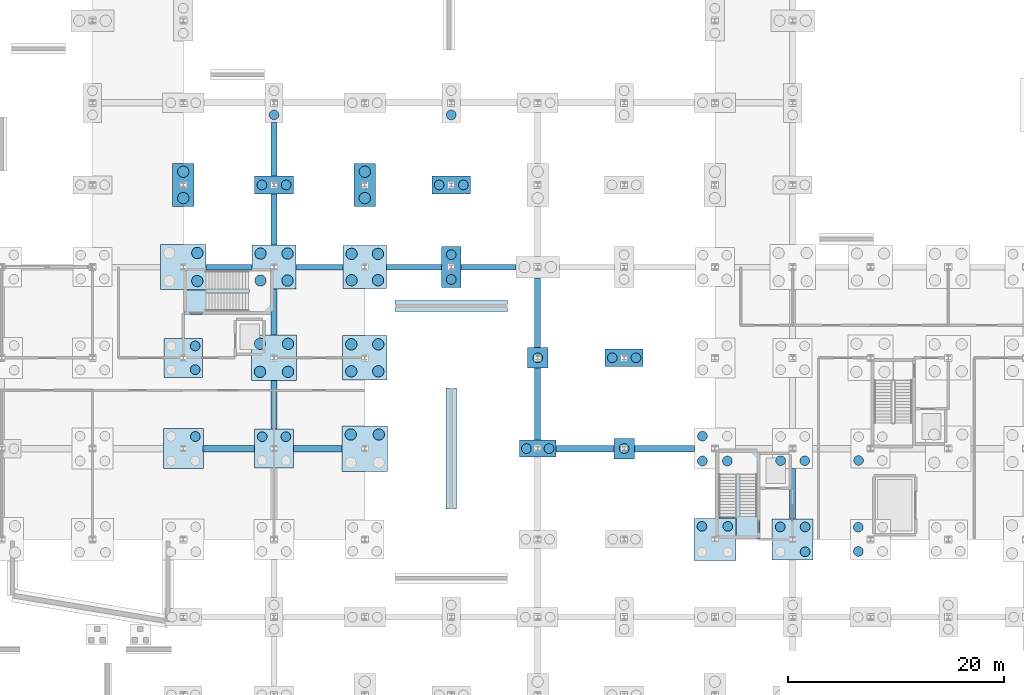
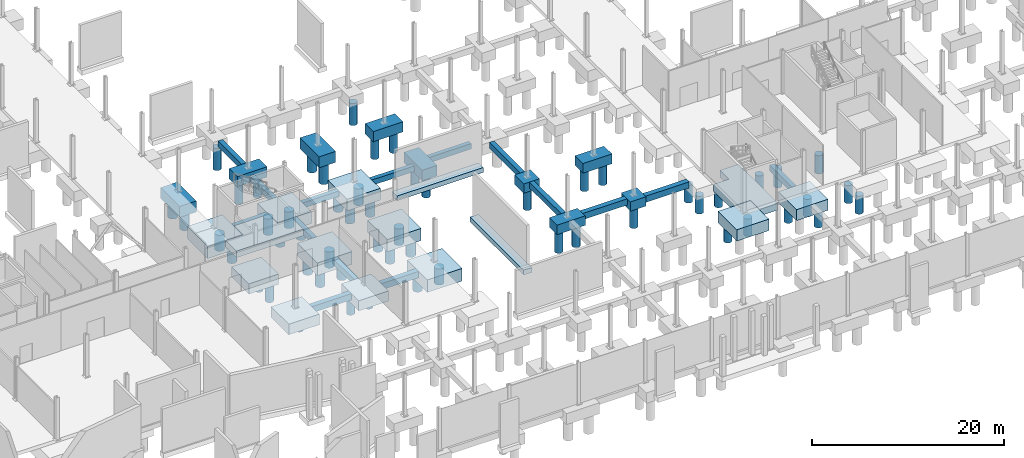
# One storey, part 5 of 61: 56 piles, 39 footings.
"""IFC4 building model written with IfcOpenShell, lengths in metres."""

import ifcopenshell
import ifcopenshell.guid

model = None  # the IFC model being written
_history = None  # IfcOwnerHistory: only IFC2X3 demands one
_inside = {}  # id of a spatial element -> (the spatial element, [elements in it])
_under = {}  # id of a project, library or spatial element -> (it, [spatial elements below it])
_declared = {}  # id of a project -> (the project, [libraries it declares])
_typed = {}  # id of a type object -> (the type object, [elements of that type])
_made_of = {}  # id of a material, layer set ... -> (it, [elements and type objects made of it])


def new_model(schema):
    """Start an empty IFC model of exactly this schema.

    Asked for "IFC4X3", IfcOpenShell would pick the latest addendum, in which some entities
    have other attributes; the version numbers below select the first issue.
    IFC2X3 requires an IfcOwnerHistory on every rooted entity: one is made here for all.
    """
    global model, _history
    if schema == "IFC4X3":
        model = ifcopenshell.file(schema_version=(4, 3, 0, 0))
    else:
        model = ifcopenshell.file(schema=schema)
    _inside.clear()
    _under.clear()
    _declared.clear()
    _typed.clear()
    _made_of.clear()
    _history = None
    if model.schema == "IFC2X3":
        org = make("IfcOrganization", Name="unknown")
        user = make(
            "IfcPersonAndOrganization",
            ThePerson=make("IfcPerson", FamilyName="unknown"),
            TheOrganization=org,
        )
        app = make(
            "IfcApplication",
            ApplicationDeveloper=org,
            Version="unknown",
            ApplicationFullName="unknown",
            ApplicationIdentifier="unknown",
        )
        _history = make(
            "IfcOwnerHistory",
            OwningUser=user,
            OwningApplication=app,
            ChangeAction="ADDED",
            CreationDate=0,
        )
    return model


def make(cls, **values):
    """One entity of the class cls with the attributes given. An attribute that is None is left unset."""
    return model.create_entity(
        cls, **{name: value for name, value in values.items() if value is not None}
    )


def rooted(cls, **values):
    """An entity with a GlobalId (a new one), such as an element, a storey or a relation."""
    return make(cls, GlobalId=ifcopenshell.guid.new(), OwnerHistory=_history, **values)


def si_unit(unit_type, name, prefix=None):
    """IfcSIUnit, for example si_unit("LENGTHUNIT", "METRE", prefix="MILLI")."""
    return make("IfcSIUnit", UnitType=unit_type, Prefix=prefix, Name=name)


def assignment(units):
    """IfcUnitAssignment: the units of a project."""
    return None if units is None else make("IfcUnitAssignment", Units=units)


def point(xyz):
    """IfcCartesianPoint."""
    return None if xyz is None else make("IfcCartesianPoint", Coordinates=xyz)


def direction(xyz):
    """IfcDirection."""
    return None if xyz is None else make("IfcDirection", DirectionRatios=xyz)


def frame(location, z_axis=None, x_axis=None):
    """IfcAxis2Placement3D, a coordinate frame: its origin and axes. An axis left out is left unset."""
    return make(
        "IfcAxis2Placement3D",
        Location=point(location),
        Axis=direction(z_axis),
        RefDirection=direction(x_axis),
    )


def frame_2d(location, x_axis=None):
    """IfcAxis2Placement2D, a coordinate frame in the plane: its origin and x axis."""
    return make(
        "IfcAxis2Placement2D", Location=point(location), RefDirection=direction(x_axis)
    )


def origin():
    """The frame at (0, 0, 0) with its axes left unset."""
    return frame((0.0, 0.0, 0.0))


def origin_2d():
    """The frame at (0, 0) in the plane with its x axis left unset."""
    return frame_2d((0.0, 0.0))


def place(relative_to, where):
    """IfcLocalPlacement: puts the frame where relative to a parent placement (None: the world)."""
    return make(
        "IfcLocalPlacement", PlacementRelTo=relative_to, RelativePlacement=where
    )


def context(
    kind, dimensions, precision=None, world=None, true_north=None, identifier=None
):
    """IfcGeometricRepresentationContext, for example the 3D "Model" context."""
    return make(
        "IfcGeometricRepresentationContext",
        ContextIdentifier=identifier,
        ContextType=kind,
        CoordinateSpaceDimension=dimensions,
        Precision=precision,
        WorldCoordinateSystem=world,
        TrueNorth=true_north,
    )


def subcontext(parent, identifier, kind, view, scale=None):
    """IfcGeometricRepresentationSubContext, for example "Body" below "Model"."""
    return make(
        "IfcGeometricRepresentationSubContext",
        ContextIdentifier=identifier,
        ContextType=kind,
        ParentContext=parent,
        TargetScale=scale,
        TargetView=view,
    )


def project(units=None, contexts=None):
    """IfcProject with its units and contexts."""
    return rooted(
        "IfcProject",
        Name="project",
        RepresentationContexts=contexts,
        UnitsInContext=assignment(units),
    )


def spatial(cls, under=None, at=None, **own):
    """A site, building, storey or space (cls), placed at a placement, below another one or the project."""
    s = rooted(cls, ObjectPlacement=at, **own)
    if under is not None:
        _under.setdefault(under.id(), (under, []))[1].append(s)
    return s


def polyline(points):
    """IfcPolyline through the points."""
    return make("IfcPolyline", Points=[point(p) for p in points])


def profile(cls, at=None, kind="AREA", **sizes):
    """A parametric profile (cls). Its sizes go by their IFC names, for example OverallWidth=200.0."""
    return make(cls, ProfileType=kind, Position=at, **sizes)


def rectangle(**sizes):
    """IfcRectangleProfileDef."""
    return profile("IfcRectangleProfileDef", **sizes)


def circle(**sizes):
    """IfcCircleProfileDef."""
    return profile("IfcCircleProfileDef", **sizes)


def outline(outer, holes=None, kind="AREA"):
    """IfcArbitraryClosedProfileDef: a profile drawn as a closed curve; with holes, ...WithVoids."""
    if holes is None:
        return make("IfcArbitraryClosedProfileDef", ProfileType=kind, OuterCurve=outer)
    return make(
        "IfcArbitraryProfileDefWithVoids",
        ProfileType=kind,
        OuterCurve=outer,
        InnerCurves=holes,
    )


def extrude(swept, where, along, depth):
    """IfcExtrudedAreaSolid: the profile swept, set in the frame where, extruded along a direction by depth."""
    return make(
        "IfcExtrudedAreaSolid",
        SweptArea=swept,
        Position=where,
        ExtrudedDirection=direction(along),
        Depth=depth,
    )


def shape(context_of_items, identifier, shape_type, items):
    """IfcShapeRepresentation: the items that make up one representation, for example the "Body"."""
    return make(
        "IfcShapeRepresentation",
        ContextOfItems=context_of_items,
        RepresentationIdentifier=identifier,
        RepresentationType=shape_type,
        Items=items,
    )


def material(Name=None, Category=None):
    """IfcMaterial."""
    return make("IfcMaterial", Name=Name, Category=Category)


def material_profile(
    of_material, cross_section, Name=None, Category=None, Priority=None
):
    """IfcMaterialProfile: a cross section and its material."""
    return make(
        "IfcMaterialProfile",
        Name=Name,
        Material=of_material,
        Profile=cross_section,
        Priority=Priority,
        Category=Category,
    )


def profile_set(profiles, Name=None, composite=None):
    """IfcMaterialProfileSet."""
    return make(
        "IfcMaterialProfileSet",
        Name=Name,
        MaterialProfiles=profiles,
        CompositeProfile=composite,
    )


def made_of(thing, what):
    """Note that an element or type object is made of a material, layer set ...; save() writes the relation."""
    if what is not None:
        _made_of.setdefault(what.id(), (what, []))[1].append(thing)
    return thing


def type_object(cls, material=None, **own):
    """A type object (cls), such as IfcWallType, which elements share."""
    return made_of(rooted(cls, **own), material)


def element(
    cls,
    number,
    at=None,
    inside=None,
    cuts=None,
    type_object=None,
    material=None,
    context=None,
    identifier="Body",
    shape_type=None,
    held_by="IfcProductDefinitionShape",
    body=None,
    shapes=None,
    **own,
):
    """One element of the class cls, such as IfcWall. Its Tag is "e" and its number.

    at: its placement. inside: the storey or other place that contains it. cuts: it is an
    opening in that element (IfcRelVoidsElement). A single representation is given by context,
    identifier, shape_type and body (its items); several are given by shapes. held_by: the class
    of the entity that holds the representations. save() writes the other relations.
    """
    e = rooted(cls, Tag="e%d" % number, ObjectPlacement=at, **own)
    if body is not None:
        shapes = [shape(context, identifier, shape_type, body)]
    if shapes is not None:
        e.Representation = make(held_by, Representations=shapes)
    if inside is not None:
        _inside.setdefault(inside.id(), (inside, []))[1].append(e)
    if cuts is not None:
        rooted(
            "IfcRelVoidsElement", RelatingBuildingElement=cuts, RelatedOpeningElement=e
        )
    if type_object is not None:
        _typed.setdefault(type_object.id(), (type_object, []))[1].append(e)
    return made_of(e, material)


def aggregate(whole, parts):
    """IfcRelAggregates: a whole, such as a stair, and the parts it consists of."""
    return rooted("IfcRelAggregates", RelatingObject=whole, RelatedObjects=parts)


def save(model, path):
    """Write the relations noted so far, then the file.

    IfcRelAggregates (storeys below a building ...), IfcRelContainedInSpatialStructure (elements
    in a storey), IfcRelDefinesByType, IfcRelAssociatesMaterial and IfcRelDeclares: one each for
    every whole, place, type object, material and project.
    """
    for whole, parts in _under.values():
        aggregate(whole, parts)
    for where, things in _inside.values():
        rooted(
            "IfcRelContainedInSpatialStructure",
            RelatedElements=things,
            RelatingStructure=where,
        )
    for kind, things in _typed.values():
        rooted("IfcRelDefinesByType", RelatedObjects=things, RelatingType=kind)
    for what, things in _made_of.values():
        rooted("IfcRelAssociatesMaterial", RelatedObjects=things, RelatingMaterial=what)
    for by, libraries in _declared.values():
        rooted("IfcRelDeclares", RelatingContext=by, RelatedDefinitions=libraries)
    model.write(path)


model = new_model("IFC4")

# Units and contexts
model_context = context("Model", 3, precision=1e-05, world=origin(), true_north=direction((0.0, 1.0)))
body_context = subcontext(model_context, "Body", "Model", "MODEL_VIEW")
ifc_project = project(units=[si_unit("LENGTHUNIT", "METRE"), si_unit("AREAUNIT", "SQUARE_METRE"), si_unit("VOLUMEUNIT", "CUBIC_METRE"), si_unit("PLANEANGLEUNIT", "RADIAN"), si_unit("MASSUNIT", "GRAM", prefix="KILO")], contexts=[model_context])

# Site, building, storey
site_placement = place(None, origin())
site = spatial("IfcSite", under=ifc_project, at=site_placement, CompositionType="ELEMENT")
building_placement = place(site_placement, origin())
building = spatial("IfcBuilding", under=site, at=building_placement, Name="Calvrana Isthmian Art Gallery", CompositionType="ELEMENT")
storey_placement = place(building_placement, frame((0.0, 0.0, -5.39990234375)))
storey = spatial("IfcBuildingStorey", under=building, at=storey_placement, Name="B1", CompositionType="ELEMENT", Elevation=-5.39990234375)

# Footings
ifc_material_1 = material(Name="Concrete C40/50", Category="concrete")
footing_type_1 = type_object("IfcFootingType", Name="FT-MAT-CORE", PredefinedType="PAD_FOOTING", material=ifc_material_1)
footing_1_placement = place(storey_placement, frame((0.0, 0.0, -1.300048828125)))
element("IfcFooting", 1, at=footing_1_placement, inside=storey, type_object=footing_type_1, Name="Core C2 mat footing", PredefinedType="PAD_FOOTING", context=body_context, shape_type="SweptSolid", body=[
    extrude(outline(polyline([(71.919921875, 42.409912109375), (63.679931640625, 42.409912109375), (63.679931640625, 44.659912109375), (65.739990234375, 44.659912109375), (65.739990234375, 46.719970703125), (69.909912109375, 46.719970703125), (69.909912109375, 44.7099609375), (71.919921875, 44.7099609375), (71.919921875, 42.409912109375)])), origin(), (0.0, 0.0, 1.0), 0.849853515625),
])
footing_2_placement = place(storey_placement, frame((0.0, 0.0, -1.300048828125)))
element("IfcFooting", 2, at=footing_2_placement, inside=storey, type_object=footing_type_1, Name="Core C3 mat footing", PredefinedType="PAD_FOOTING", context=body_context, shape_type="SweptSolid", body=[
    extrude(outline(polyline([(116.989990234375, 29.919921875), (116.989990234375, 21.679931640625), (114.7900390625, 21.679931640625), (114.7900390625, 23.590087890625), (112.8798828125, 23.590087890625), (112.8798828125, 28.06005859375), (114.739990234375, 28.06005859375), (114.739990234375, 29.919921875), (116.989990234375, 29.919921875)])), origin(), (0.0, 0.0, 1.0), 0.849853515625),
])
ifc_material_2 = material(Name="Concrete C35/45", Category="concrete")
footing_type_2 = type_object("IfcFootingType", Name="FT-PC-180X380X135", PredefinedType="PILE_CAP", material=ifc_material_2)
footing_3_placement = place(storey_placement, frame((88.39990234375, 46.800048828125, -1.35009765625), z_axis=(0.0, 0.0, 1.0), x_axis=(1.0, 0.0, 0.0)))
element("IfcFooting", 3, at=footing_3_placement, inside=storey, type_object=footing_type_2, Name="Pile cap 12/G", PredefinedType="PILE_CAP", context=body_context, shape_type="SweptSolid", body=[
    extrude(rectangle(XDim=1.800048828125, YDim=3.800048828125, at=origin_2d()), origin(), (0.0, 0.0, 1.0), 1.35009765625),
])
footing_type_3 = type_object("IfcFootingType", Name="FT-PC-190X190X120", PredefinedType="PILE_CAP", material=ifc_material_2)
for number, where, z_axis, x_axis, name in (
    (4, (96.39990234375, 38.39990234375, -1.2001953125), (0.0, 0.0, 1.0), (1.0, 0.0, 0.0), "Pile cap 13/F"),
    (5, (104.39990234375, 30.0, -1.2001953125), (0.0, 0.0, 1.0), (1.0, 0.0, 0.0), "Pile cap 14/E"),
):
    element("IfcFooting", number, at=place(storey_placement, frame(where, z_axis=z_axis, x_axis=x_axis)), inside=storey, type_object=footing_type_3, Name=name, PredefinedType="PILE_CAP", context=body_context, shape_type="SweptSolid", body=[
        extrude(rectangle(XDim=1.89990234375, YDim=1.89990234375, at=origin_2d()), origin(), (0.0, 0.0, 1.0), 1.199951171875),
    ])
footing_type_4 = type_object("IfcFootingType", Name="FT-PC-200X400X140", PredefinedType="PILE_CAP", material=ifc_material_2)
for number, where, z_axis, x_axis, name in (
    (6, (63.60009765625, 54.39990234375, -1.85009765625), (0.0, 0.0, 1.0), (1.0, 0.0, 0.0), "Pile cap 09/H"),
    (7, (80.39990234375, 54.39990234375, -1.400146484375), (0.0, 0.0, 1.0), (1.0, 0.0, 0.0), "Pile cap 11/H"),
):
    element("IfcFooting", number, at=place(storey_placement, frame(where, z_axis=z_axis, x_axis=x_axis)), inside=storey, type_object=footing_type_4, Name=name, PredefinedType="PILE_CAP", context=body_context, shape_type="SweptSolid", body=[
        extrude(rectangle(XDim=2.0, YDim=4.0, at=origin_2d()), origin(), (0.0, 0.0, 1.0), 1.39990234375),
    ])
footing_type_5 = type_object("IfcFootingType", Name="FT-PC-340X160X120", PredefinedType="PILE_CAP", material=ifc_material_2)
footing_4_placement = place(storey_placement, frame((96.39990234375, 30.0, -1.2001953125), z_axis=(0.0, 0.0, 1.0), x_axis=(1.0, 0.0, 0.0)))
element("IfcFooting", 8, at=footing_4_placement, inside=storey, type_object=footing_type_5, Name="Pile cap 13/E", PredefinedType="PILE_CAP", context=body_context, shape_type="SweptSolid", body=[
    extrude(rectangle(XDim=3.39990234375, YDim=1.60009765625, at=origin_2d()), origin(), (0.0, 0.0, 1.0), 1.199951171875),
])
footing_type_6 = type_object("IfcFootingType", Name="FT-PC-350X165X125", PredefinedType="PILE_CAP", material=ifc_material_2)
footing_5_placement = place(storey_placement, frame((104.39990234375, 38.39990234375, -1.25), z_axis=(0.0, 0.0, 1.0), x_axis=(1.0, 0.0, 0.0)))
element("IfcFooting", 9, at=footing_5_placement, inside=storey, type_object=footing_type_6, Name="Pile cap 14/F", PredefinedType="PILE_CAP", context=body_context, shape_type="SweptSolid", body=[
    extrude(rectangle(XDim=3.5, YDim=1.64990234375, at=origin_2d()), origin(), (0.0, 0.0, 1.0), 1.25),
])
footing_type_7 = type_object("IfcFootingType", Name="FT-PC-360X170X130", PredefinedType="PILE_CAP", material=ifc_material_2)
for number, where, z_axis, x_axis, name in (
    (10, (72.0, 54.39990234375, -1.30029296875), (0.0, 0.0, 1.0), (1.0, 0.0, 0.0), "Pile cap 10/H"),
    (11, (88.39990234375, 54.39990234375, -1.30029296875), (0.0, 0.0, 1.0), (1.0, 0.0, 0.0), "Pile cap 12/H"),
):
    element("IfcFooting", number, at=place(storey_placement, frame(where, z_axis=z_axis, x_axis=x_axis)), inside=storey, type_object=footing_type_7, Name=name, PredefinedType="PILE_CAP", context=body_context, shape_type="SweptSolid", body=[
        extrude(rectangle(XDim=3.60009765625, YDim=1.699951171875, at=origin_2d()), origin(), (0.0, 0.0, 1.0), 1.300048828125),
    ])
footing_type_8 = type_object("IfcFootingType", Name="FT-PC-360X360X130", PredefinedType="PILE_CAP", material=ifc_material_2)
for number, where, z_axis, x_axis, name in (
    (12, (63.60009765625, 38.39990234375, -1.75), (0.0, 0.0, 1.0), (1.0, 0.0, 0.0), "Pile cap 09/F"),
    (13, (72.0, 30.0, -1.75), (0.0, 0.0, 1.0), (1.0, 0.0, 0.0), "Pile cap 10/E"),
):
    element("IfcFooting", number, at=place(storey_placement, frame(where, z_axis=z_axis, x_axis=x_axis)), inside=storey, type_object=footing_type_8, Name=name, PredefinedType="PILE_CAP", context=body_context, shape_type="SweptSolid", body=[
        extrude(rectangle(XDim=3.60009765625, YDim=3.60009765625, at=origin_2d()), origin(), (0.0, 0.0, 1.0), 1.300048828125),
    ])
footing_type_9 = type_object("IfcFootingType", Name="FT-PC-370X370X135", PredefinedType="PILE_CAP", material=ifc_material_2)
footing_6_placement = place(storey_placement, frame((63.60009765625, 30.0, -1.800048828125), z_axis=(0.0, 0.0, 1.0), x_axis=(1.0, 0.0, 0.0)))
element("IfcFooting", 14, at=footing_6_placement, inside=storey, type_object=footing_type_9, Name="Pile cap 09/E", PredefinedType="PILE_CAP", context=body_context, shape_type="SweptSolid", body=[
    extrude(rectangle(XDim=3.699951171875, YDim=3.699951171875, at=origin_2d()), origin(), (0.0, 0.0, 1.0), 1.35009765625),
])
footing_type_10 = type_object("IfcFootingType", Name="FT-PC-380X380X140", PredefinedType="PILE_CAP", material=ifc_material_2)
footing_7_placement = place(storey_placement, frame((120.0, 21.60009765625, -1.85009765625), z_axis=(0.0, 0.0, 1.0), x_axis=(1.0, 0.0, 0.0)))
element("IfcFooting", 15, at=footing_7_placement, inside=storey, type_object=footing_type_10, Name="Pile cap 16/D", PredefinedType="PILE_CAP", context=body_context, shape_type="SweptSolid", body=[
    extrude(rectangle(XDim=3.800048828125, YDim=3.800048828125, at=origin_2d()), origin(), (0.0, 0.0, 1.0), 1.39990234375),
])
footing_type_11 = type_object("IfcFootingType", Name="FT-PC-390X390X145", PredefinedType="PILE_CAP", material=ifc_material_2)
footing_8_placement = place(storey_placement, frame((112.800048828125, 21.60009765625, -1.89990234375), z_axis=(0.0, 0.0, 1.0), x_axis=(1.0, 0.0, 0.0)))
element("IfcFooting", 16, at=footing_8_placement, inside=storey, type_object=footing_type_11, Name="Pile cap 15/D", PredefinedType="PILE_CAP", context=body_context, shape_type="SweptSolid", body=[
    extrude(rectangle(XDim=3.89990234375, YDim=3.89990234375, at=origin_2d()), origin(), (0.0, 0.0, 1.0), 1.449951171875),
])
footing_type_12 = type_object("IfcFootingType", Name="FT-PC-400X400X150", PredefinedType="PILE_CAP", material=ifc_material_2)
footing_9_placement = place(storey_placement, frame((80.39990234375, 46.800048828125, -1.9501953125), z_axis=(0.0, 0.0, 1.0), x_axis=(1.0, 0.0, 0.0)))
element("IfcFooting", 17, at=footing_9_placement, inside=storey, type_object=footing_type_12, Name="Pile cap 11/G", PredefinedType="PILE_CAP", context=body_context, shape_type="SweptSolid", body=[
    extrude(rectangle(XDim=4.0, YDim=4.0, at=origin_2d()), origin(), (0.0, 0.0, 1.0), 1.5),
])
footing_type_13 = type_object("IfcFootingType", Name="FT-PC-410X410X155", PredefinedType="PILE_CAP", material=ifc_material_2)
for number, where, z_axis, x_axis, name in (
    (18, (72.0, 46.800048828125, -2.0), (0.0, 0.0, 1.0), (1.0, 0.0, 0.0), "Pile cap 10/G"),
    (19, (80.39990234375, 38.39990234375, -2.0), (0.0, 0.0, 1.0), (1.0, 0.0, 0.0), "Pile cap 11/F"),
):
    element("IfcFooting", number, at=place(storey_placement, frame(where, z_axis=z_axis, x_axis=x_axis)), inside=storey, type_object=footing_type_13, Name=name, PredefinedType="PILE_CAP", context=body_context, shape_type="SweptSolid", body=[
        extrude(rectangle(XDim=4.10009765625, YDim=4.10009765625, at=origin_2d()), origin(), (0.0, 0.0, 1.0), 1.550048828125),
    ])
footing_type_14 = type_object("IfcFootingType", Name="FT-PC-420X420X160", PredefinedType="PILE_CAP", material=ifc_material_2)
for number, where, z_axis, x_axis, name in (
    (20, (63.60009765625, 46.800048828125, -2.050048828125), (0.0, 0.0, 1.0), (1.0, 0.0, 0.0), "Pile cap 09/G"),
    (21, (72.0, 38.39990234375, -2.050048828125), (0.0, 0.0, 1.0), (1.0, 0.0, 0.0), "Pile cap 10/F"),
    (22, (80.39990234375, 30.0, -2.050048828125), (0.0, 0.0, 1.0), (1.0, 0.0, 0.0), "Pile cap 11/E"),
):
    element("IfcFooting", number, at=place(storey_placement, frame(where, z_axis=z_axis, x_axis=x_axis)), inside=storey, type_object=footing_type_14, Name=name, PredefinedType="PILE_CAP", context=body_context, shape_type="SweptSolid", body=[
        extrude(rectangle(XDim=4.199951171875, YDim=4.199951171875, at=origin_2d()), origin(), (0.0, 0.0, 1.0), 1.60009765625),
    ])
footing_type_15 = type_object("IfcFootingType", Name="FT-SF-1000X600", PredefinedType="STRIP_FOOTING", material=ifc_material_2)
footing_10_placement = place(storey_placement, frame((0.0, 0.0, -1.050048828125)))
element("IfcFooting", 23, at=footing_10_placement, inside=storey, type_object=footing_type_15, Name="Cloister court retaining wall N strip footing", PredefinedType="STRIP_FOOTING", context=body_context, shape_type="SweptSolid", body=[
    extrude(outline(polyline([(83.199951171875, 42.699951171875), (93.60009765625, 42.699951171875), (93.60009765625, 43.699951171875), (83.199951171875, 43.699951171875), (83.199951171875, 42.699951171875)])), origin(), (0.0, 0.0, 1.0), 0.599853515625),
])
footing_11_placement = place(storey_placement, frame((0.0, 0.0, -1.050048828125)))
element("IfcFooting", 24, at=footing_11_placement, inside=storey, type_object=footing_type_15, Name="Cloister court retaining wall M strip footing", PredefinedType="STRIP_FOOTING", context=body_context, shape_type="SweptSolid", body=[
    extrude(outline(polyline([(88.89990234375, 24.39990234375), (88.89990234375, 35.60009765625), (87.89990234375, 35.60009765625), (87.89990234375, 24.39990234375), (88.89990234375, 24.39990234375)])), origin(), (0.0, 0.0, 1.0), 0.599853515625),
])
footing_type_16 = type_object("IfcFootingType", Name="FT-TB-500X700", PredefinedType="FOOTING_BEAM", material=ifc_material_2)
footing_12_placement = place(storey_placement, frame((0.0, 0.0, -1.150146484375)))
element("IfcFooting", 25, at=footing_12_placement, inside=storey, type_object=footing_type_16, Name="Footing tie beam X 08-06", PredefinedType="FOOTING_BEAM", context=body_context, shape_type="SweptSolid", body=[
    extrude(outline(polyline([(65.699951171875, 46.550048828125), (69.949951171875, 46.550048828125), (69.949951171875, 47.050048828125), (65.699951171875, 47.050048828125), (65.699951171875, 46.550048828125)])), origin(), (0.0, 0.0, 1.0), 0.699951171875),
])
footing_13_placement = place(storey_placement, frame((0.0, 0.0, -1.150146484375)))
element("IfcFooting", 26, at=footing_13_placement, inside=storey, type_object=footing_type_16, Name="Footing tie beam X 09-06", PredefinedType="FOOTING_BEAM", context=body_context, shape_type="SweptSolid", body=[
    extrude(outline(polyline([(74.050048828125, 46.550048828125), (78.39990234375, 46.550048828125), (78.39990234375, 47.050048828125), (74.050048828125, 47.050048828125), (74.050048828125, 46.550048828125)])), origin(), (0.0, 0.0, 1.0), 0.699951171875),
])
footing_14_placement = place(storey_placement, frame((0.0, 0.0, -1.150146484375)))
element("IfcFooting", 27, at=footing_14_placement, inside=storey, type_object=footing_type_16, Name="Footing tie beam X 10-06", PredefinedType="FOOTING_BEAM", context=body_context, shape_type="SweptSolid", body=[
    extrude(outline(polyline([(82.39990234375, 46.550048828125), (87.5, 46.550048828125), (87.5, 47.050048828125), (82.39990234375, 47.050048828125), (82.39990234375, 46.550048828125)])), origin(), (0.0, 0.0, 1.0), 0.699951171875),
])
footing_15_placement = place(storey_placement, frame((0.0, 0.0, -0.7001953125)))
element("IfcFooting", 28, at=footing_15_placement, inside=storey, type_object=footing_type_16, Name="Footing tie beam X 11-06", PredefinedType="FOOTING_BEAM", context=body_context, shape_type="SweptSolid", body=[
    extrude(outline(polyline([(89.300048828125, 46.550048828125), (94.39990234375, 46.550048828125), (94.39990234375, 47.050048828125), (89.300048828125, 47.050048828125), (89.300048828125, 46.550048828125)])), origin(), (0.0, 0.0, 1.0), 0.7001953125),
])
footing_type_17 = type_object("IfcFootingType", Name="FT-TB-550X750", PredefinedType="FOOTING_BEAM", material=ifc_material_2)
footing_16_placement = place(storey_placement, frame((0.0, 0.0, -1.2001953125)))
element("IfcFooting", 29, at=footing_16_placement, inside=storey, type_object=footing_type_17, Name="Footing tie beam Y 09-04", PredefinedType="FOOTING_BEAM", context=body_context, shape_type="SweptSolid", body=[
    extrude(outline(polyline([(71.72509765625, 31.800048828125), (72.27490234375, 31.800048828125), (72.27490234375, 36.300048828125), (71.72509765625, 36.300048828125), (71.72509765625, 31.800048828125)])), origin(), (0.0, 0.0, 1.0), 0.75),
])
footing_17_placement = place(storey_placement, frame((0.0, 0.0, -1.2001953125)))
element("IfcFooting", 30, at=footing_17_placement, inside=storey, type_object=footing_type_17, Name="Footing tie beam Y 09-05", PredefinedType="FOOTING_BEAM", context=body_context, shape_type="SweptSolid", body=[
    extrude(outline(polyline([(71.72509765625, 40.5), (72.27490234375, 40.5), (72.27490234375, 44.75), (71.72509765625, 44.75), (71.72509765625, 40.5)])), origin(), (0.0, 0.0, 1.0), 0.75),
])
footing_18_placement = place(storey_placement, frame((0.0, 0.0, -1.2001953125)))
element("IfcFooting", 31, at=footing_18_placement, inside=storey, type_object=footing_type_17, Name="Footing tie beam Y 09-06", PredefinedType="FOOTING_BEAM", context=body_context, shape_type="SweptSolid", body=[
    extrude(outline(polyline([(71.72509765625, 48.85009765625), (72.27490234375, 48.85009765625), (72.27490234375, 53.550048828125), (71.72509765625, 53.550048828125), (71.72509765625, 48.85009765625)])), origin(), (0.0, 0.0, 1.0), 0.75),
])
footing_19_placement = place(storey_placement, frame((0.0, 0.0, -0.75)))
element("IfcFooting", 32, at=footing_19_placement, inside=storey, type_object=footing_type_17, Name="Footing tie beam Y 09-07", PredefinedType="FOOTING_BEAM", context=body_context, shape_type="SweptSolid", body=[
    extrude(outline(polyline([(71.72509765625, 55.25), (72.27490234375, 55.25), (72.27490234375, 60.199951171875), (71.72509765625, 60.199951171875), (71.72509765625, 55.25)])), origin(), (0.0, 0.0, 1.0), 0.75),
])
footing_20_placement = place(storey_placement, frame((0.0, 0.0, -0.75)))
element("IfcFooting", 33, at=footing_20_placement, inside=storey, type_object=footing_type_17, Name="Footing tie beam Y 12-04", PredefinedType="FOOTING_BEAM", context=body_context, shape_type="SweptSolid", body=[
    extrude(outline(polyline([(96.125, 30.800048828125), (96.675048828125, 30.800048828125), (96.675048828125, 37.449951171875), (96.125, 37.449951171875), (96.125, 30.800048828125)])), origin(), (0.0, 0.0, 1.0), 0.75),
])
footing_21_placement = place(storey_placement, frame((0.0, 0.0, -0.75)))
element("IfcFooting", 34, at=footing_21_placement, inside=storey, type_object=footing_type_17, Name="Footing tie beam Y 12-05", PredefinedType="FOOTING_BEAM", context=body_context, shape_type="SweptSolid", body=[
    extrude(outline(polyline([(96.125, 39.35009765625), (96.675048828125, 39.35009765625), (96.675048828125, 45.800048828125), (96.125, 45.800048828125), (96.125, 39.35009765625)])), origin(), (0.0, 0.0, 1.0), 0.75),
])
footing_22_placement = place(storey_placement, frame((0.0, 0.0, -1.2001953125)))
element("IfcFooting", 35, at=footing_22_placement, inside=storey, type_object=footing_type_17, Name="Footing tie beam Y 15-03", PredefinedType="FOOTING_BEAM", context=body_context, shape_type="SweptSolid", body=[
    extrude(outline(polyline([(119.72509765625, 23.5), (120.27490234375, 23.5), (120.27490234375, 28.14990234375), (119.72509765625, 28.14990234375), (119.72509765625, 23.5)])), origin(), (0.0, 0.0, 1.0), 0.75),
])
footing_type_18 = type_object("IfcFootingType", Name="FT-TB-600X800", PredefinedType="FOOTING_BEAM", material=ifc_material_2)
footing_23_placement = place(storey_placement, frame((0.0, 0.0, -1.25)))
element("IfcFooting", 36, at=footing_23_placement, inside=storey, type_object=footing_type_18, Name="Footing tie beam X 08-04", PredefinedType="FOOTING_BEAM", context=body_context, shape_type="SweptSolid", body=[
    extrude(outline(polyline([(65.449951171875, 29.699951171875), (70.199951171875, 29.699951171875), (70.199951171875, 30.300048828125), (65.449951171875, 30.300048828125), (65.449951171875, 29.699951171875)])), origin(), (0.0, 0.0, 1.0), 0.7998046875),
])
footing_24_placement = place(storey_placement, frame((0.0, 0.0, -1.25)))
element("IfcFooting", 37, at=footing_24_placement, inside=storey, type_object=footing_type_18, Name="Footing tie beam X 09-04", PredefinedType="FOOTING_BEAM", context=body_context, shape_type="SweptSolid", body=[
    extrude(outline(polyline([(73.800048828125, 29.699951171875), (78.300048828125, 29.699951171875), (78.300048828125, 30.300048828125), (73.800048828125, 30.300048828125), (73.800048828125, 29.699951171875)])), origin(), (0.0, 0.0, 1.0), 0.7998046875),
])
footing_25_placement = place(storey_placement, frame((0.0, 0.0, -0.800048828125)))
element("IfcFooting", 38, at=footing_25_placement, inside=storey, type_object=footing_type_18, Name="Footing tie beam X 12-04", PredefinedType="FOOTING_BEAM", context=body_context, shape_type="SweptSolid", body=[
    extrude(outline(polyline([(98.10009765625, 29.699951171875), (103.449951171875, 29.699951171875), (103.449951171875, 30.300048828125), (98.10009765625, 30.300048828125), (98.10009765625, 29.699951171875)])), origin(), (0.0, 0.0, 1.0), 0.800048828125),
])
footing_26_placement = place(storey_placement, frame((0.0, 0.0, -1.25)))
element("IfcFooting", 39, at=footing_26_placement, inside=storey, type_object=footing_type_18, Name="Footing tie beam X 13-04", PredefinedType="FOOTING_BEAM", context=body_context, shape_type="SweptSolid", body=[
    extrude(outline(polyline([(105.35009765625, 29.699951171875), (110.89990234375, 29.699951171875), (110.89990234375, 30.300048828125), (105.35009765625, 30.300048828125), (105.35009765625, 29.699951171875)])), origin(), (0.0, 0.0, 1.0), 0.7998046875),
])

# Piles
ifc_material_profile_1 = material_profile(ifc_material_2, circle(Radius=0.52490234375, at=origin_2d()), Name="PILE1050D")
ifc_profile_set_1 = profile_set([ifc_material_profile_1], Name="Concrete C35/45")
pile_type_1 = type_object("IfcPileType", Name="PILE-D1050", PredefinedType="BORED", material=ifc_profile_set_1)
for number, where, z_axis, x_axis, name in (
    (40, (64.89990234375, 45.5, -1.9501953125), (0.0, 0.0, -1.0), (1.0, 0.0, 0.0), "Bored pile PL-203"),
    (41, (64.89990234375, 48.10009765625, -1.9501953125), (0.0, 0.0, -1.0), (1.0, 0.0, 0.0), "Bored pile PL-205"),
):
    element("IfcPile", number, at=place(storey_placement, frame(where, z_axis=z_axis, x_axis=x_axis)), inside=storey, type_object=pile_type_1, Name=name, PredefinedType="BORED", context=body_context, shape_type="SweptSolid", body=[
        extrude(circle(Radius=0.52490234375, at=origin_2d()), origin(), (0.0, 0.0, 1.0), 2.050048828125),
    ])
for number, where, z_axis, x_axis, name in (
    (42, (63.60009765625, 53.179931640625, -1.75), (0.0, 0.0, -1.0), (1.0, 0.0, 0.0), "Bored pile PL-206"),
    (43, (63.60009765625, 55.6201171875, -1.75), (0.0, 0.0, -1.0), (1.0, 0.0, 0.0), "Bored pile PL-207"),
):
    element("IfcPile", number, at=place(storey_placement, frame(where, z_axis=z_axis, x_axis=x_axis)), inside=storey, type_object=pile_type_1, Name=name, PredefinedType="BORED", context=body_context, shape_type="SweptSolid", body=[
        extrude(circle(Radius=0.52490234375, at=origin_2d()), origin(), (0.0, 0.0, 1.0), 2.25),
    ])
for number, where, z_axis, x_axis, name in (
    (44, (70.699951171875, 37.10009765625, -1.9501953125), (0.0, 0.0, -1.0), (1.0, 0.0, 0.0), "Bored pile PL-238"),
    (45, (73.300048828125, 37.10009765625, -1.9501953125), (0.0, 0.0, -1.0), (1.0, 0.0, 0.0), "Bored pile PL-239"),
    (46, (70.699951171875, 39.699951171875, -1.9501953125), (0.0, 0.0, -1.0), (1.0, 0.0, 0.0), "Bored pile PL-240"),
    (47, (73.300048828125, 39.699951171875, -1.9501953125), (0.0, 0.0, -1.0), (1.0, 0.0, 0.0), "Bored pile PL-241"),
):
    element("IfcPile", number, at=place(storey_placement, frame(where, z_axis=z_axis, x_axis=x_axis)), inside=storey, type_object=pile_type_1, Name=name, PredefinedType="BORED", context=body_context, shape_type="SweptSolid", body=[
        extrude(circle(Radius=0.52490234375, at=origin_2d()), origin(), (0.0, 0.0, 1.0), 2.050048828125),
    ])
for number, where, z_axis, x_axis, name in (
    (48, (70.75, 45.550048828125, -1.900146484375), (0.0, 0.0, -1.0), (1.0, 0.0, 0.0), "Bored pile PL-242"),
    (49, (73.25, 45.550048828125, -1.900146484375), (0.0, 0.0, -1.0), (1.0, 0.0, 0.0), "Bored pile PL-243"),
    (50, (70.75, 48.050048828125, -1.900146484375), (0.0, 0.0, -1.0), (1.0, 0.0, 0.0), "Bored pile PL-244"),
    (51, (73.25, 48.050048828125, -1.900146484375), (0.0, 0.0, -1.0), (1.0, 0.0, 0.0), "Bored pile PL-245"),
):
    element("IfcPile", number, at=place(storey_placement, frame(where, z_axis=z_axis, x_axis=x_axis)), inside=storey, type_object=pile_type_1, Name=name, PredefinedType="BORED", context=body_context, shape_type="SweptSolid", body=[
        extrude(circle(Radius=0.52490234375, at=origin_2d()), origin(), (0.0, 0.0, 1.0), 2.10009765625),
    ])
for number, where, z_axis, x_axis, name in (
    (52, (79.10009765625, 31.300048828125, -1.9501953125), (0.0, 0.0, -1.0), (1.0, 0.0, 0.0), "Bored pile PL-267"),
    (53, (81.699951171875, 31.300048828125, -1.9501953125), (0.0, 0.0, -1.0), (1.0, 0.0, 0.0), "Bored pile PL-268"),
):
    element("IfcPile", number, at=place(storey_placement, frame(where, z_axis=z_axis, x_axis=x_axis)), inside=storey, type_object=pile_type_1, Name=name, PredefinedType="BORED", context=body_context, shape_type="SweptSolid", body=[
        extrude(circle(Radius=0.52490234375, at=origin_2d()), origin(), (0.0, 0.0, 1.0), 2.050048828125),
    ])
for number, where, z_axis, x_axis, name in (
    (54, (79.14990234375, 37.14990234375, -1.900146484375), (0.0, 0.0, -1.0), (1.0, 0.0, 0.0), "Bored pile PL-269"),
    (55, (81.64990234375, 37.14990234375, -1.900146484375), (0.0, 0.0, -1.0), (1.0, 0.0, 0.0), "Bored pile PL-270"),
    (56, (79.14990234375, 39.64990234375, -1.900146484375), (0.0, 0.0, -1.0), (1.0, 0.0, 0.0), "Bored pile PL-271"),
    (57, (81.64990234375, 39.64990234375, -1.900146484375), (0.0, 0.0, -1.0), (1.0, 0.0, 0.0), "Bored pile PL-272"),
):
    element("IfcPile", number, at=place(storey_placement, frame(where, z_axis=z_axis, x_axis=x_axis)), inside=storey, type_object=pile_type_1, Name=name, PredefinedType="BORED", context=body_context, shape_type="SweptSolid", body=[
        extrude(circle(Radius=0.52490234375, at=origin_2d()), origin(), (0.0, 0.0, 1.0), 2.10009765625),
    ])
for number, where, z_axis, x_axis, name in (
    (58, (79.179931640625, 45.580078125, -1.85009765625), (0.0, 0.0, -1.0), (1.0, 0.0, 0.0), "Bored pile PL-273"),
    (59, (81.6201171875, 45.580078125, -1.85009765625), (0.0, 0.0, -1.0), (1.0, 0.0, 0.0), "Bored pile PL-274"),
    (60, (79.179931640625, 48.02001953125, -1.85009765625), (0.0, 0.0, -1.0), (1.0, 0.0, 0.0), "Bored pile PL-275"),
    (61, (81.6201171875, 48.02001953125, -1.85009765625), (0.0, 0.0, -1.0), (1.0, 0.0, 0.0), "Bored pile PL-276"),
):
    element("IfcPile", number, at=place(storey_placement, frame(where, z_axis=z_axis, x_axis=x_axis)), inside=storey, type_object=pile_type_1, Name=name, PredefinedType="BORED", context=body_context, shape_type="SweptSolid", body=[
        extrude(circle(Radius=0.52490234375, at=origin_2d()), origin(), (0.0, 0.0, 1.0), 2.14990234375),
    ])
for number, where, z_axis, x_axis, name in (
    (62, (80.39990234375, 53.179931640625, -1.300048828125), (0.0, 0.0, -1.0), (1.0, 0.0, 0.0), "Bored pile PL-277"),
    (63, (80.39990234375, 55.6201171875, -1.300048828125), (0.0, 0.0, -1.0), (1.0, 0.0, 0.0), "Bored pile PL-278"),
):
    element("IfcPile", number, at=place(storey_placement, frame(where, z_axis=z_axis, x_axis=x_axis)), inside=storey, type_object=pile_type_1, Name=name, PredefinedType="BORED", context=body_context, shape_type="SweptSolid", body=[
        extrude(circle(Radius=0.52490234375, at=origin_2d()), origin(), (0.0, 0.0, 1.0), 2.699951171875),
    ])
ifc_material_profile_2 = material_profile(ifc_material_2, circle(Radius=0.449951171875, at=origin_2d()), Name="PILE900D")
ifc_profile_set_2 = profile_set([ifc_material_profile_2], Name="Concrete C35/45")
pile_type_2 = type_object("IfcPileType", Name="PILE-D900", PredefinedType="BORED", material=ifc_profile_set_2)
pile_1_placement = place(storey_placement, frame((64.719970703125, 31.1201171875, -1.7001953125), z_axis=(0.0, 0.0, -1.0), x_axis=(1.0, 0.0, 0.0)))
element("IfcPile", 64, at=pile_1_placement, inside=storey, type_object=pile_type_2, Name="Bored pile PL-197", PredefinedType="BORED", context=body_context, shape_type="SweptSolid", body=[
    extrude(circle(Radius=0.449951171875, at=origin_2d()), origin(), (0.0, 0.0, 1.0), 2.300048828125),
])
for number, where, z_axis, x_axis, name in (
    (65, (64.699951171875, 37.300048828125, -1.650146484375), (0.0, 0.0, -1.0), (1.0, 0.0, 0.0), "Bored pile PL-199"),
    (66, (64.699951171875, 39.5, -1.650146484375), (0.0, 0.0, -1.0), (1.0, 0.0, 0.0), "Bored pile PL-201"),
    (67, (70.89990234375, 31.10009765625, -1.650146484375), (0.0, 0.0, -1.0), (1.0, 0.0, 0.0), "Bored pile PL-236"),
    (68, (73.10009765625, 31.10009765625, -1.650146484375), (0.0, 0.0, -1.0), (1.0, 0.0, 0.0), "Bored pile PL-237"),
):
    element("IfcPile", number, at=place(storey_placement, frame(where, z_axis=z_axis, x_axis=x_axis)), inside=storey, type_object=pile_type_2, Name=name, PredefinedType="BORED", context=body_context, shape_type="SweptSolid", body=[
        extrude(circle(Radius=0.449951171875, at=origin_2d()), origin(), (0.0, 0.0, 1.0), 2.35009765625),
    ])
for number, where, z_axis, x_axis, name in (
    (69, (70.8798828125, 54.39990234375, -1.2001953125), (0.0, 0.0, -1.0), (1.0, 0.0, 0.0), "Bored pile PL-246"),
    (70, (73.1201171875, 54.39990234375, -1.2001953125), (0.0, 0.0, -1.0), (1.0, 0.0, 0.0), "Bored pile PL-247"),
    (71, (72.0, 60.8798828125, -1.2001953125), (0.0, 0.0, -1.0), (1.0, 0.0, 0.0), "Bored pile PL-248"),
):
    element("IfcPile", number, at=place(storey_placement, frame(where, z_axis=z_axis, x_axis=x_axis)), inside=storey, type_object=pile_type_2, Name=name, PredefinedType="BORED", context=body_context, shape_type="SweptSolid", body=[
        extrude(circle(Radius=0.449951171875, at=origin_2d()), origin(), (0.0, 0.0, 1.0), 2.800048828125),
    ])
for number, where, z_axis, x_axis, name in (
    (72, (88.39990234375, 45.64990234375, -1.25), (0.0, 0.0, -1.0), (1.0, 0.0, 0.0), "Bored pile PL-287"),
    (73, (88.39990234375, 47.949951171875, -1.25), (0.0, 0.0, -1.0), (1.0, 0.0, 0.0), "Bored pile PL-288"),
):
    element("IfcPile", number, at=place(storey_placement, frame(where, z_axis=z_axis, x_axis=x_axis)), inside=storey, type_object=pile_type_2, Name=name, PredefinedType="BORED", context=body_context, shape_type="SweptSolid", body=[
        extrude(circle(Radius=0.449951171875, at=origin_2d()), origin(), (0.0, 0.0, 1.0), 2.75),
    ])
for number, where, z_axis, x_axis, name in (
    (74, (87.280029296875, 54.39990234375, -1.2001953125), (0.0, 0.0, -1.0), (1.0, 0.0, 0.0), "Bored pile PL-289"),
    (75, (89.52001953125, 54.39990234375, -1.2001953125), (0.0, 0.0, -1.0), (1.0, 0.0, 0.0), "Bored pile PL-290"),
    (76, (88.39990234375, 60.8798828125, -1.2001953125), (0.0, 0.0, -1.0), (1.0, 0.0, 0.0), "Bored pile PL-291"),
):
    element("IfcPile", number, at=place(storey_placement, frame(where, z_axis=z_axis, x_axis=x_axis)), inside=storey, type_object=pile_type_2, Name=name, PredefinedType="BORED", context=body_context, shape_type="SweptSolid", body=[
        extrude(circle(Radius=0.449951171875, at=origin_2d()), origin(), (0.0, 0.0, 1.0), 2.800048828125),
    ])
for number, where, z_axis, x_axis, name in (
    (77, (95.35009765625, 30.0, -1.10009765625), (0.0, 0.0, -1.0), (1.0, 0.0, 0.0), "Bored pile PL-301"),
    (78, (97.449951171875, 30.0, -1.10009765625), (0.0, 0.0, -1.0), (1.0, 0.0, 0.0), "Bored pile PL-302"),
    (79, (96.39990234375, 38.39990234375, -1.10009765625), (0.0, 0.0, -1.0), (1.0, 0.0, 0.0), "Bored pile PL-303"),
    (80, (104.39990234375, 30.0, -1.10009765625), (0.0, 0.0, -1.0), (1.0, 0.0, 0.0), "Bored pile PL-318"),
):
    element("IfcPile", number, at=place(storey_placement, frame(where, z_axis=z_axis, x_axis=x_axis)), inside=storey, type_object=pile_type_2, Name=name, PredefinedType="BORED", context=body_context, shape_type="SweptSolid", body=[
        extrude(circle(Radius=0.449951171875, at=origin_2d()), origin(), (0.0, 0.0, 1.0), 2.89990234375),
    ])
for number, where, z_axis, x_axis, name in (
    (81, (103.300048828125, 38.39990234375, -1.150146484375), (0.0, 0.0, -1.0), (1.0, 0.0, 0.0), "Bored pile PL-319"),
    (82, (105.5, 38.39990234375, -1.150146484375), (0.0, 0.0, -1.0), (1.0, 0.0, 0.0), "Bored pile PL-320"),
):
    element("IfcPile", number, at=place(storey_placement, frame(where, z_axis=z_axis, x_axis=x_axis)), inside=storey, type_object=pile_type_2, Name=name, PredefinedType="BORED", context=body_context, shape_type="SweptSolid", body=[
        extrude(circle(Radius=0.449951171875, at=origin_2d()), origin(), (0.0, 0.0, 1.0), 2.85009765625),
    ])
for number, where, z_axis, x_axis, name in (
    (83, (111.60009765625, 22.800048828125, -1.800048828125), (0.0, 0.0, -1.0), (1.0, 0.0, 0.0), "Bored pile PL-343"),
    (84, (114.0, 22.800048828125, -1.800048828125), (0.0, 0.0, -1.0), (1.0, 0.0, 0.0), "Bored pile PL-344"),
):
    element("IfcPile", number, at=place(storey_placement, frame(where, z_axis=z_axis, x_axis=x_axis)), inside=storey, type_object=pile_type_2, Name=name, PredefinedType="BORED", context=body_context, shape_type="SweptSolid", body=[
        extrude(circle(Radius=0.449951171875, at=origin_2d()), origin(), (0.0, 0.0, 1.0), 2.199951171875),
    ])
for number, where, z_axis, x_axis, name in (
    (85, (111.64990234375, 28.85009765625, -1.75), (0.0, 0.0, -1.0), (1.0, 0.0, 0.0), "Bored pile PL-345"),
    (86, (113.949951171875, 28.85009765625, -1.75), (0.0, 0.0, -1.0), (1.0, 0.0, 0.0), "Bored pile PL-346"),
    (87, (111.64990234375, 31.14990234375, -1.75), (0.0, 0.0, -1.0), (1.0, 0.0, 0.0), "Bored pile PL-347"),
    (88, (121.14990234375, 20.449951171875, -1.75), (0.0, 0.0, -1.0), (1.0, 0.0, 0.0), "Bored pile PL-378"),
    (89, (118.85009765625, 22.75, -1.75), (0.0, 0.0, -1.0), (1.0, 0.0, 0.0), "Bored pile PL-379"),
    (90, (121.14990234375, 22.75, -1.75), (0.0, 0.0, -1.0), (1.0, 0.0, 0.0), "Bored pile PL-380"),
):
    element("IfcPile", number, at=place(storey_placement, frame(where, z_axis=z_axis, x_axis=x_axis)), inside=storey, type_object=pile_type_2, Name=name, PredefinedType="BORED", context=body_context, shape_type="SweptSolid", body=[
        extrude(circle(Radius=0.449951171875, at=origin_2d()), origin(), (0.0, 0.0, 1.0), 2.25),
    ])
for number, where, z_axis, x_axis, name in (
    (91, (118.8798828125, 28.8798828125, -1.7001953125), (0.0, 0.0, -1.0), (1.0, 0.0, 0.0), "Bored pile PL-381"),
    (92, (121.1201171875, 28.8798828125, -1.7001953125), (0.0, 0.0, -1.0), (1.0, 0.0, 0.0), "Bored pile PL-382"),
    (93, (126.080078125, 20.47998046875, -1.7001953125), (0.0, 0.0, -1.0), (1.0, 0.0, 0.0), "Bored pile PL-413"),
    (94, (126.080078125, 22.719970703125, -1.7001953125), (0.0, 0.0, -1.0), (1.0, 0.0, 0.0), "Bored pile PL-415"),
):
    element("IfcPile", number, at=place(storey_placement, frame(where, z_axis=z_axis, x_axis=x_axis)), inside=storey, type_object=pile_type_2, Name=name, PredefinedType="BORED", context=body_context, shape_type="SweptSolid", body=[
        extrude(circle(Radius=0.449951171875, at=origin_2d()), origin(), (0.0, 0.0, 1.0), 2.300048828125),
    ])
pile_2_placement = place(storey_placement, frame((126.10009765625, 28.89990234375, -1.650146484375), z_axis=(0.0, 0.0, -1.0), x_axis=(1.0, 0.0, 0.0)))
element("IfcPile", 95, at=pile_2_placement, inside=storey, type_object=pile_type_2, Name="Bored pile PL-417", PredefinedType="BORED", context=body_context, shape_type="SweptSolid", body=[
    extrude(circle(Radius=0.449951171875, at=origin_2d()), origin(), (0.0, 0.0, 1.0), 2.35009765625),
])

save(model, "model.ifc")
